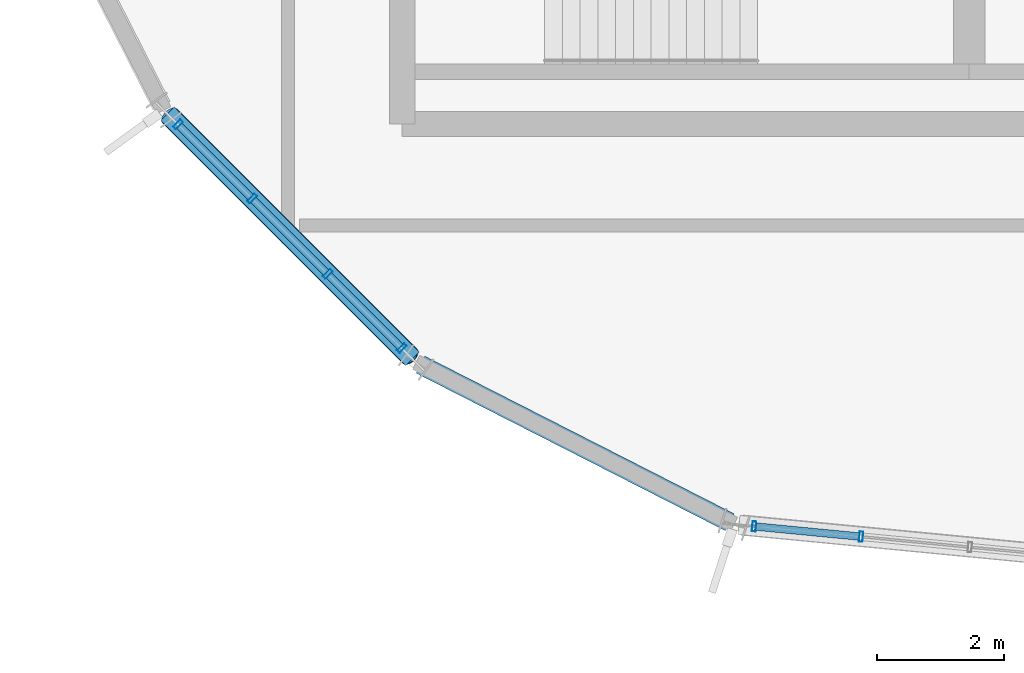
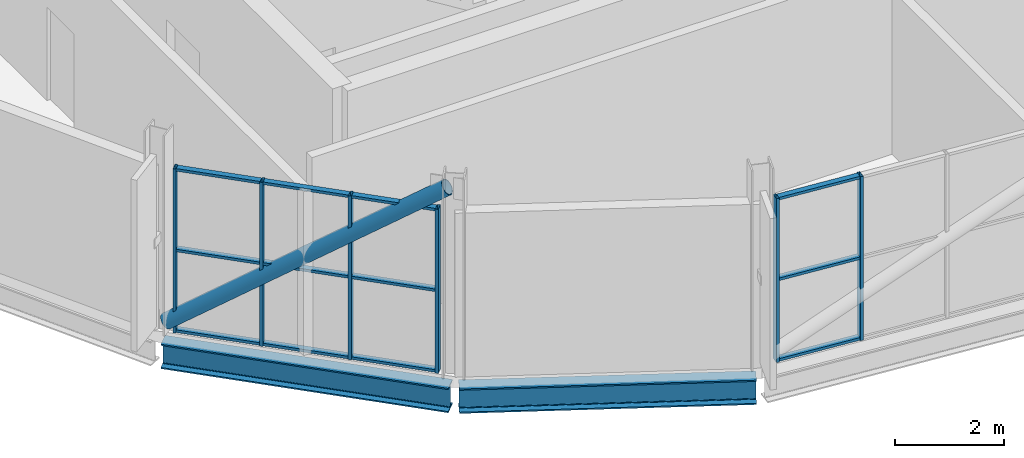
# One storey, part 2 of 22: 19 members, 2 beams, 2 elements without a shape of their own.
"""IFC4 building model written with IfcOpenShell, lengths in metres."""

import ifcopenshell
import ifcopenshell.guid

model = None  # the IFC model being written
_history = None  # IfcOwnerHistory: only IFC2X3 demands one
_inside = {}  # id of a spatial element -> (the spatial element, [elements in it])
_under = {}  # id of a project, library or spatial element -> (it, [spatial elements below it])
_declared = {}  # id of a project -> (the project, [libraries it declares])
_typed = {}  # id of a type object -> (the type object, [elements of that type])
_made_of = {}  # id of a material, layer set ... -> (it, [elements and type objects made of it])


def new_model(schema):
    """Start an empty IFC model of exactly this schema.

    Asked for "IFC4X3", IfcOpenShell would pick the latest addendum, in which some entities
    have other attributes; the version numbers below select the first issue.
    IFC2X3 requires an IfcOwnerHistory on every rooted entity: one is made here for all.
    """
    global model, _history
    if schema == "IFC4X3":
        model = ifcopenshell.file(schema_version=(4, 3, 0, 0))
    else:
        model = ifcopenshell.file(schema=schema)
    _inside.clear()
    _under.clear()
    _declared.clear()
    _typed.clear()
    _made_of.clear()
    _history = None
    if model.schema == "IFC2X3":
        org = make("IfcOrganization", Name="unknown")
        user = make(
            "IfcPersonAndOrganization",
            ThePerson=make("IfcPerson", FamilyName="unknown"),
            TheOrganization=org,
        )
        app = make(
            "IfcApplication",
            ApplicationDeveloper=org,
            Version="unknown",
            ApplicationFullName="unknown",
            ApplicationIdentifier="unknown",
        )
        _history = make(
            "IfcOwnerHistory",
            OwningUser=user,
            OwningApplication=app,
            ChangeAction="ADDED",
            CreationDate=0,
        )
    return model


def make(cls, **values):
    """One entity of the class cls with the attributes given. An attribute that is None is left unset."""
    return model.create_entity(
        cls, **{name: value for name, value in values.items() if value is not None}
    )


def rooted(cls, **values):
    """An entity with a GlobalId (a new one), such as an element, a storey or a relation."""
    return make(cls, GlobalId=ifcopenshell.guid.new(), OwnerHistory=_history, **values)


def si_unit(unit_type, name, prefix=None):
    """IfcSIUnit, for example si_unit("LENGTHUNIT", "METRE", prefix="MILLI")."""
    return make("IfcSIUnit", UnitType=unit_type, Prefix=prefix, Name=name)


def assignment(units):
    """IfcUnitAssignment: the units of a project."""
    return None if units is None else make("IfcUnitAssignment", Units=units)


def point(xyz):
    """IfcCartesianPoint."""
    return None if xyz is None else make("IfcCartesianPoint", Coordinates=xyz)


def direction(xyz):
    """IfcDirection."""
    return None if xyz is None else make("IfcDirection", DirectionRatios=xyz)


def frame(location, z_axis=None, x_axis=None):
    """IfcAxis2Placement3D, a coordinate frame: its origin and axes. An axis left out is left unset."""
    return make(
        "IfcAxis2Placement3D",
        Location=point(location),
        Axis=direction(z_axis),
        RefDirection=direction(x_axis),
    )


def frame_2d(location, x_axis=None):
    """IfcAxis2Placement2D, a coordinate frame in the plane: its origin and x axis."""
    return make(
        "IfcAxis2Placement2D", Location=point(location), RefDirection=direction(x_axis)
    )


def origin():
    """The frame at (0, 0, 0) with its axes left unset."""
    return frame((0.0, 0.0, 0.0))


def origin_2d():
    """The frame at (0, 0) in the plane with its x axis left unset."""
    return frame_2d((0.0, 0.0))


def place(relative_to, where):
    """IfcLocalPlacement: puts the frame where relative to a parent placement (None: the world)."""
    return make(
        "IfcLocalPlacement", PlacementRelTo=relative_to, RelativePlacement=where
    )


def context(
    kind, dimensions, precision=None, world=None, true_north=None, identifier=None
):
    """IfcGeometricRepresentationContext, for example the 3D "Model" context."""
    return make(
        "IfcGeometricRepresentationContext",
        ContextIdentifier=identifier,
        ContextType=kind,
        CoordinateSpaceDimension=dimensions,
        Precision=precision,
        WorldCoordinateSystem=world,
        TrueNorth=true_north,
    )


def subcontext(parent, identifier, kind, view, scale=None):
    """IfcGeometricRepresentationSubContext, for example "Body" below "Model"."""
    return make(
        "IfcGeometricRepresentationSubContext",
        ContextIdentifier=identifier,
        ContextType=kind,
        ParentContext=parent,
        TargetScale=scale,
        TargetView=view,
    )


def project(units=None, contexts=None):
    """IfcProject with its units and contexts."""
    return rooted(
        "IfcProject",
        Name="project",
        RepresentationContexts=contexts,
        UnitsInContext=assignment(units),
    )


def spatial(cls, under=None, at=None, **own):
    """A site, building, storey or space (cls), placed at a placement, below another one or the project."""
    s = rooted(cls, ObjectPlacement=at, **own)
    if under is not None:
        _under.setdefault(under.id(), (under, []))[1].append(s)
    return s


def profile(cls, at=None, kind="AREA", **sizes):
    """A parametric profile (cls). Its sizes go by their IFC names, for example OverallWidth=200.0."""
    return make(cls, ProfileType=kind, Position=at, **sizes)


def hollow_rectangle(**sizes):
    """IfcRectangleHollowProfileDef."""
    return profile("IfcRectangleHollowProfileDef", **sizes)


def hollow_circle(**sizes):
    """IfcCircleHollowProfileDef."""
    return profile("IfcCircleHollowProfileDef", **sizes)


def i_section(**sizes):
    """IfcIShapeProfileDef."""
    return profile("IfcIShapeProfileDef", **sizes)


def extrude(swept, where, along, depth):
    """IfcExtrudedAreaSolid: the profile swept, set in the frame where, extruded along a direction by depth."""
    return make(
        "IfcExtrudedAreaSolid",
        SweptArea=swept,
        Position=where,
        ExtrudedDirection=direction(along),
        Depth=depth,
    )


def shape(context_of_items, identifier, shape_type, items):
    """IfcShapeRepresentation: the items that make up one representation, for example the "Body"."""
    return make(
        "IfcShapeRepresentation",
        ContextOfItems=context_of_items,
        RepresentationIdentifier=identifier,
        RepresentationType=shape_type,
        Items=items,
    )


def material(Name=None, Category=None):
    """IfcMaterial."""
    return make("IfcMaterial", Name=Name, Category=Category)


def layer(
    of_material, thickness, ventilated=None, Name=None, Category=None, Priority=None
):
    """IfcMaterialLayer: one layer of a wall or slab, of a material (None: an air gap)."""
    return make(
        "IfcMaterialLayer",
        Material=of_material,
        LayerThickness=thickness,
        IsVentilated=ventilated,
        Name=Name,
        Category=Category,
        Priority=Priority,
    )


def layer_set(layers, Name=None):
    """IfcMaterialLayerSet."""
    return make("IfcMaterialLayerSet", MaterialLayers=layers, LayerSetName=Name)


def material_profile(
    of_material, cross_section, Name=None, Category=None, Priority=None
):
    """IfcMaterialProfile: a cross section and its material."""
    return make(
        "IfcMaterialProfile",
        Name=Name,
        Material=of_material,
        Profile=cross_section,
        Priority=Priority,
        Category=Category,
    )


def profile_set(profiles, Name=None, composite=None):
    """IfcMaterialProfileSet."""
    return make(
        "IfcMaterialProfileSet",
        Name=Name,
        MaterialProfiles=profiles,
        CompositeProfile=composite,
    )


def made_of(thing, what):
    """Note that an element or type object is made of a material, layer set ...; save() writes the relation."""
    if what is not None:
        _made_of.setdefault(what.id(), (what, []))[1].append(thing)
    return thing


def type_object(cls, material=None, **own):
    """A type object (cls), such as IfcWallType, which elements share."""
    return made_of(rooted(cls, **own), material)


def element(
    cls,
    number,
    at=None,
    inside=None,
    cuts=None,
    type_object=None,
    material=None,
    context=None,
    identifier="Body",
    shape_type=None,
    held_by="IfcProductDefinitionShape",
    body=None,
    shapes=None,
    **own,
):
    """One element of the class cls, such as IfcWall. Its Tag is "e" and its number.

    at: its placement. inside: the storey or other place that contains it. cuts: it is an
    opening in that element (IfcRelVoidsElement). A single representation is given by context,
    identifier, shape_type and body (its items); several are given by shapes. held_by: the class
    of the entity that holds the representations. save() writes the other relations.
    """
    e = rooted(cls, Tag="e%d" % number, ObjectPlacement=at, **own)
    if body is not None:
        shapes = [shape(context, identifier, shape_type, body)]
    if shapes is not None:
        e.Representation = make(held_by, Representations=shapes)
    if inside is not None:
        _inside.setdefault(inside.id(), (inside, []))[1].append(e)
    if cuts is not None:
        rooted(
            "IfcRelVoidsElement", RelatingBuildingElement=cuts, RelatedOpeningElement=e
        )
    if type_object is not None:
        _typed.setdefault(type_object.id(), (type_object, []))[1].append(e)
    return made_of(e, material)


def aggregate(whole, parts):
    """IfcRelAggregates: a whole, such as a stair, and the parts it consists of."""
    return rooted("IfcRelAggregates", RelatingObject=whole, RelatedObjects=parts)


def save(model, path):
    """Write the relations noted so far, then the file.

    IfcRelAggregates (storeys below a building ...), IfcRelContainedInSpatialStructure (elements
    in a storey), IfcRelDefinesByType, IfcRelAssociatesMaterial and IfcRelDeclares: one each for
    every whole, place, type object, material and project.
    """
    for whole, parts in _under.values():
        aggregate(whole, parts)
    for where, things in _inside.values():
        rooted(
            "IfcRelContainedInSpatialStructure",
            RelatedElements=things,
            RelatingStructure=where,
        )
    for kind, things in _typed.values():
        rooted("IfcRelDefinesByType", RelatedObjects=things, RelatingType=kind)
    for what, things in _made_of.values():
        rooted("IfcRelAssociatesMaterial", RelatedObjects=things, RelatingMaterial=what)
    for by, libraries in _declared.values():
        rooted("IfcRelDeclares", RelatingContext=by, RelatedDefinitions=libraries)
    model.write(path)


model = new_model("IFC4")

# Units and contexts
model_context = context("Model", 3, precision=1e-05, world=origin(), true_north=direction((0.0, 1.0)))
body_context = subcontext(model_context, "Body", "Model", "MODEL_VIEW")
ifc_project = project(units=[si_unit("LENGTHUNIT", "METRE"), si_unit("AREAUNIT", "SQUARE_METRE"), si_unit("VOLUMEUNIT", "CUBIC_METRE"), si_unit("PLANEANGLEUNIT", "RADIAN"), si_unit("MASSUNIT", "GRAM", prefix="KILO")], contexts=[model_context])

# Site, building, storey
site_placement = place(None, origin())
site = spatial("IfcSite", under=ifc_project, at=site_placement, CompositionType="ELEMENT")
building_placement = place(site_placement, origin())
building = spatial("IfcBuilding", under=site, at=building_placement, Name="Solnavia Interchange Tower", CompositionType="ELEMENT")
storey_placement = place(building_placement, frame((0.0, 0.0, 308.699951171875)))
storey = spatial("IfcBuildingStorey", under=building, at=storey_placement, Name="C02", CompositionType="ELEMENT", Elevation=308.699951171875)

# Curtain wall, members
ifc_material_1 = material(Name="Aluminium Alloy 6063-T6", Category="aluminium")
ifc_layer = layer(ifc_material_1, 0.179931640625)
ifc_layer_set = layer_set([ifc_layer], Name="Aluminium Alloy 6063-T6")
curtain_wall_type = type_object("IfcCurtainWallType", Name="CurtainWall-Crown-CTW6", PredefinedType="NOTDEFINED", material=ifc_layer_set)
curtain_wall_1_placement = place(storey_placement, origin())
curtain_wall_1 = element("IfcCurtainWall", 1, at=curtain_wall_1_placement, inside=storey, type_object=curtain_wall_type, Name="CTW-C02-R11 CTW-6 curtain wall", PredefinedType="NOTDEFINED")
ifc_material_profile_1 = material_profile(ifc_material_1, hollow_rectangle(XDim=0.06005859375, YDim=0.159912109375, WallThickness=0.00390625, at=origin_2d()), Name="ALU 160x60x4")
ifc_profile_set_1 = profile_set([ifc_material_profile_1], Name="Aluminium Alloy 6063-T6")
member_type_1 = type_object("IfcMemberType", Name="CW-Mullion-CWM-6", PredefinedType="MULLION", material=ifc_profile_set_1)
member_1_placement = place(storey_placement, frame((10.86328125, 10.794677734375, 0.0), z_axis=(0.0, 0.0, 1.0), x_axis=(0.707106781187, -0.707106781187, 0.0)))
member_1 = element("IfcMember", 2, at=member_1_placement, type_object=member_type_1, Name="CTW-6 mullion 1", PredefinedType="MULLION", context=body_context, shape_type="SweptSolid", body=[
    extrude(hollow_rectangle(XDim=0.06005859375, YDim=0.159912109375, WallThickness=0.00390625, at=origin_2d()), origin(), (0.0, 0.0, 1.0), 3.679931640625),
])
member_2_placement = place(storey_placement, frame((12.033447265625, 9.624755859375, 0.0), z_axis=(0.0, 0.0, 1.0), x_axis=(0.707106781187, -0.707106781187, 0.0)))
member_2 = element("IfcMember", 3, at=member_2_placement, type_object=member_type_1, Name="CTW-6 mullion 2", PredefinedType="MULLION", context=body_context, shape_type="SweptSolid", body=[
    extrude(hollow_rectangle(XDim=0.06005859375, YDim=0.159912109375, WallThickness=0.00390625, at=origin_2d()), origin(), (0.0, 0.0, 1.0), 3.679931640625),
])
member_3_placement = place(storey_placement, frame((13.224609375, 8.433349609375, 0.0), z_axis=(0.0, 0.0, 1.0), x_axis=(0.707106781187, -0.707106781187, 0.0)))
member_3 = element("IfcMember", 4, at=member_3_placement, type_object=member_type_1, Name="CTW-6 mullion 3", PredefinedType="MULLION", context=body_context, shape_type="SweptSolid", body=[
    extrude(hollow_rectangle(XDim=0.06005859375, YDim=0.159912109375, WallThickness=0.00390625, at=origin_2d()), origin(), (0.0, 0.0, 1.0), 3.679931640625),
])
member_4_placement = place(storey_placement, frame((14.394775390625, 7.26318359375, 0.0), z_axis=(0.0, 0.0, 1.0), x_axis=(0.707106781187, -0.707106781187, 0.0)))
member_4 = element("IfcMember", 5, at=member_4_placement, type_object=member_type_1, Name="CTW-6 mullion 4", PredefinedType="MULLION", context=body_context, shape_type="SweptSolid", body=[
    extrude(hollow_rectangle(XDim=0.06005859375, YDim=0.159912109375, WallThickness=0.00390625, at=origin_2d()), origin(), (0.0, 0.0, 1.0), 3.679931640625),
])

curtain_wall_2_placement = place(storey_placement, origin())
curtain_wall_2 = element("IfcCurtainWall", 6, at=curtain_wall_2_placement, inside=storey, type_object=curtain_wall_type, Name="CTW-C02-R13 CTW-6 curtain wall", PredefinedType="NOTDEFINED")
member_5_placement = place(storey_placement, frame((19.955078125, 4.450439453125, 0.0), z_axis=(0.0, 0.0, 1.0), x_axis=(0.995408264531, -0.095720357833, 0.0)))
member_5 = element("IfcMember", 7, at=member_5_placement, type_object=member_type_1, Name="CTW-6 mullion 1", PredefinedType="MULLION", context=body_context, shape_type="SweptSolid", body=[
    extrude(hollow_rectangle(XDim=0.06005859375, YDim=0.159912109375, WallThickness=0.00390625, at=origin_2d()), origin(), (0.0, 0.0, 1.0), 3.679931640625),
])
member_6_placement = place(storey_placement, frame((21.642822265625, 4.288330078125, 0.0), z_axis=(0.0, 0.0, 1.0), x_axis=(0.995408264531, -0.095720357833, 0.0)))
member_6 = element("IfcMember", 8, at=member_6_placement, type_object=member_type_1, Name="CTW-6 mullion 2", PredefinedType="MULLION", context=body_context, shape_type="SweptSolid", body=[
    extrude(hollow_rectangle(XDim=0.06005859375, YDim=0.159912109375, WallThickness=0.00390625, at=origin_2d()), origin(), (0.0, 0.0, 1.0), 3.679931640625),
])

# Member
ifc_material_profile_2 = material_profile(ifc_material_1, hollow_rectangle(XDim=0.06005859375, YDim=0.1201171875, WallThickness=0.00390625, at=origin_2d()), Name="ALU 120x60x4")
ifc_profile_set_2 = profile_set([ifc_material_profile_2], Name="Aluminium Alloy 6063-T6")
member_type_2 = type_object("IfcMemberType", Name="CW-Transom-CWT-6", PredefinedType="USERDEFINED", material=ifc_profile_set_2)
member_7_placement = place(storey_placement, frame((10.884521484375, 10.773681640625, 0.030029296875), z_axis=(0.707106781187, -0.707106781187, 0.0), x_axis=(0.0, 0.0, 1.0)))
member_7 = element("IfcMember", 9, at=member_7_placement, type_object=member_type_2, Name="CTW-6 transom 1.1", ObjectType="TRANSOM", PredefinedType="USERDEFINED", context=body_context, shape_type="SweptSolid", body=[
    extrude(hollow_rectangle(XDim=0.06005859375, YDim=0.1201171875, WallThickness=0.00390625, at=origin_2d()), origin(), (0.0, 0.0, 1.0), 1.5947265625),
])

member_8_placement = place(storey_placement, frame((10.884521484375, 10.773681640625, 1.840087890625), z_axis=(0.707106781187, -0.707106781187, 0.0), x_axis=(0.0, 0.0, 1.0)))
member_8 = element("IfcMember", 10, at=member_8_placement, type_object=member_type_2, Name="CTW-6 transom 1.2", ObjectType="TRANSOM", PredefinedType="USERDEFINED", context=body_context, shape_type="SweptSolid", body=[
    extrude(hollow_rectangle(XDim=0.06005859375, YDim=0.1201171875, WallThickness=0.00390625, at=origin_2d()), origin(), (0.0, 0.0, 1.0), 1.5947265625),
])

member_9_placement = place(storey_placement, frame((10.884521484375, 10.773681640625, 3.650146484375), z_axis=(0.707106781187, -0.707106781187, 0.0), x_axis=(0.0, 0.0, 1.0)))
member_9 = element("IfcMember", 11, at=member_9_placement, type_object=member_type_2, Name="CTW-6 transom 1.3", ObjectType="TRANSOM", PredefinedType="USERDEFINED", context=body_context, shape_type="SweptSolid", body=[
    extrude(hollow_rectangle(XDim=0.06005859375, YDim=0.1201171875, WallThickness=0.00390625, at=origin_2d()), origin(), (0.0, 0.0, 1.0), 1.5947265625),
])

member_10_placement = place(storey_placement, frame((12.054443359375, 9.603515625, 0.030029296875), z_axis=(0.707106781187, -0.707106781187, 0.0), x_axis=(0.0, 0.0, 1.0)))
member_10 = element("IfcMember", 12, at=member_10_placement, type_object=member_type_2, Name="CTW-6 transom 2.1", ObjectType="TRANSOM", PredefinedType="USERDEFINED", context=body_context, shape_type="SweptSolid", body=[
    extrude(hollow_rectangle(XDim=0.06005859375, YDim=0.1201171875, WallThickness=0.00390625, at=origin_2d()), origin(), (0.0, 0.0, 1.0), 1.624755859375),
])

member_11_placement = place(storey_placement, frame((12.054443359375, 9.603515625, 1.840087890625), z_axis=(0.707106781187, -0.707106781187, 0.0), x_axis=(0.0, 0.0, 1.0)))
member_11 = element("IfcMember", 13, at=member_11_placement, type_object=member_type_2, Name="CTW-6 transom 2.2", ObjectType="TRANSOM", PredefinedType="USERDEFINED", context=body_context, shape_type="SweptSolid", body=[
    extrude(hollow_rectangle(XDim=0.06005859375, YDim=0.1201171875, WallThickness=0.00390625, at=origin_2d()), origin(), (0.0, 0.0, 1.0), 1.624755859375),
])

member_12_placement = place(storey_placement, frame((12.054443359375, 9.603515625, 3.650146484375), z_axis=(0.707106781187, -0.707106781187, 0.0), x_axis=(0.0, 0.0, 1.0)))
member_12 = element("IfcMember", 14, at=member_12_placement, type_object=member_type_2, Name="CTW-6 transom 2.3", ObjectType="TRANSOM", PredefinedType="USERDEFINED", context=body_context, shape_type="SweptSolid", body=[
    extrude(hollow_rectangle(XDim=0.06005859375, YDim=0.1201171875, WallThickness=0.00390625, at=origin_2d()), origin(), (0.0, 0.0, 1.0), 1.624755859375),
])

member_13_placement = place(storey_placement, frame((13.245849609375, 8.412109375, 0.030029296875), z_axis=(0.707106781187, -0.707106781187, 0.0), x_axis=(0.0, 0.0, 1.0)))
member_13 = element("IfcMember", 15, at=member_13_placement, type_object=member_type_2, Name="CTW-6 transom 3.1", ObjectType="TRANSOM", PredefinedType="USERDEFINED", context=body_context, shape_type="SweptSolid", body=[
    extrude(hollow_rectangle(XDim=0.06005859375, YDim=0.1201171875, WallThickness=0.00390625, at=origin_2d()), origin(), (0.0, 0.0, 1.0), 1.5947265625),
])

member_14_placement = place(storey_placement, frame((13.245849609375, 8.412109375, 1.840087890625), z_axis=(0.707106781187, -0.707106781187, 0.0), x_axis=(0.0, 0.0, 1.0)))
member_14 = element("IfcMember", 16, at=member_14_placement, type_object=member_type_2, Name="CTW-6 transom 3.2", ObjectType="TRANSOM", PredefinedType="USERDEFINED", context=body_context, shape_type="SweptSolid", body=[
    extrude(hollow_rectangle(XDim=0.06005859375, YDim=0.1201171875, WallThickness=0.00390625, at=origin_2d()), origin(), (0.0, 0.0, 1.0), 1.5947265625),
])

member_15_placement = place(storey_placement, frame((13.245849609375, 8.412109375, 3.650146484375), z_axis=(0.707106781187, -0.707106781187, 0.0), x_axis=(0.0, 0.0, 1.0)))
member_15 = element("IfcMember", 17, at=member_15_placement, type_object=member_type_2, Name="CTW-6 transom 3.3", ObjectType="TRANSOM", PredefinedType="USERDEFINED", context=body_context, shape_type="SweptSolid", body=[
    extrude(hollow_rectangle(XDim=0.06005859375, YDim=0.1201171875, WallThickness=0.00390625, at=origin_2d()), origin(), (0.0, 0.0, 1.0), 1.5947265625),
])

aggregate(curtain_wall_1, [member_1, member_2, member_3, member_4, member_7, member_8, member_9, member_10, member_11, member_12, member_13, member_14, member_15])

member_16_placement = place(storey_placement, frame((19.98486328125, 4.44775390625, 0.030029296875), z_axis=(0.995396986959, -0.095837562332, 0.0), x_axis=(0.0, 0.0, 1.0)))
member_16 = element("IfcMember", 18, at=member_16_placement, type_object=member_type_2, Name="CTW-6 transom 1.1", ObjectType="TRANSOM", PredefinedType="USERDEFINED", context=body_context, shape_type="SweptSolid", body=[
    extrude(hollow_rectangle(XDim=0.06005859375, YDim=0.1201171875, WallThickness=0.00390625, at=origin_2d()), origin(), (0.0, 0.0, 1.0), 1.635498046875),
])

member_17_placement = place(storey_placement, frame((19.98486328125, 4.44775390625, 1.840087890625), z_axis=(0.995396986959, -0.095837562332, 0.0), x_axis=(0.0, 0.0, 1.0)))
member_17 = element("IfcMember", 19, at=member_17_placement, type_object=member_type_2, Name="CTW-6 transom 1.2", ObjectType="TRANSOM", PredefinedType="USERDEFINED", context=body_context, shape_type="SweptSolid", body=[
    extrude(hollow_rectangle(XDim=0.06005859375, YDim=0.1201171875, WallThickness=0.00390625, at=origin_2d()), origin(), (0.0, 0.0, 1.0), 1.635498046875),
])

member_18_placement = place(storey_placement, frame((19.98486328125, 4.44775390625, 3.650146484375), z_axis=(0.995396986959, -0.095837562332, 0.0), x_axis=(0.0, 0.0, 1.0)))
member_18 = element("IfcMember", 20, at=member_18_placement, type_object=member_type_2, Name="CTW-6 transom 1.3", ObjectType="TRANSOM", PredefinedType="USERDEFINED", context=body_context, shape_type="SweptSolid", body=[
    extrude(hollow_rectangle(XDim=0.06005859375, YDim=0.1201171875, WallThickness=0.00390625, at=origin_2d()), origin(), (0.0, 0.0, 1.0), 1.635498046875),
])

aggregate(curtain_wall_2, [member_5, member_6, member_16, member_17, member_18])

ifc_material_2 = material(Name="Steel S355", Category="steel")
ifc_material_profile_3 = material_profile(ifc_material_2, hollow_circle(Radius=0.161865234375, WallThickness=0.01611328125, at=origin_2d()), Name="CHS 323.9x16")
ifc_profile_set_3 = profile_set([ifc_material_profile_3], Name="Steel S355")
member_type_3 = type_object("IfcMemberType", Name="CrownFrame-Brace-CHS323", PredefinedType="BRACE", material=ifc_profile_set_3)
member_19_placement = place(storey_placement, frame((10.737060546875, 10.9208984375, 0.179931640625), z_axis=(0.567372843335, -0.567372843335, 0.596804920633), x_axis=(0.707106781187, 0.707106781187, 0.0)))
element("IfcMember", 21, at=member_19_placement, inside=storey, type_object=member_type_3, Name="BRC-C02-CF11 CROWN FRAME ring brace", PredefinedType="BRACE", context=body_context, shape_type="SweptSolid", body=[
    extrude(hollow_circle(Radius=0.161865234375, WallThickness=0.01611328125, at=origin_2d()), origin(), (0.0, 0.0, 1.0), 6.669189453125),
])

# Beams
ifc_material_3 = material(Name="Steel S460", Category="steel")
ifc_material_profile_4 = material_profile(ifc_material_3, i_section(OverallWidth=0.300048828125, OverallDepth=0.550048828125, WebThickness=0.014892578125, FlangeThickness=0.029052734375, FilletRadius=0.027099609375, at=origin_2d()), Name="HEB 550")
ifc_profile_set_4 = profile_set([ifc_material_profile_4], Name="Steel S460")
beam_type = type_object("IfcBeamType", Name="CrownFrame-Ring-HEB550", PredefinedType="BEAM", material=ifc_profile_set_4)
beam_1_placement = place(storey_placement, frame((10.694580078125, 10.96337890625, -0.52490234375), z_axis=(0.707106781187, -0.707106781187, 0.0), x_axis=(0.707106781187, 0.707106781187, 0.0)))
element("IfcBeam", 22, at=beam_1_placement, inside=storey, type_object=beam_type, Name="GRD-C02-CR11 CROWN FRAME outer collar ring beam", PredefinedType="BEAM", context=body_context, shape_type="SweptSolid", body=[
    extrude(i_section(OverallWidth=0.300048828125, OverallDepth=0.550048828125, WebThickness=0.014892578125, FlangeThickness=0.029052734375, FilletRadius=0.027099609375, at=origin_2d()), origin(), (0.0, 0.0, 1.0), 5.471435546875),
])
beam_2_placement = place(storey_placement, frame((14.69140625, 7.001708984375, -0.52490234375), z_axis=(0.890983307267, -0.454036062634, 0.0), x_axis=(0.454036062634, 0.890983307267, 0.0)))
element("IfcBeam", 23, at=beam_2_placement, inside=storey, type_object=beam_type, Name="GRD-C02-CR12 CROWN FRAME outer collar ring beam", PredefinedType="BEAM", context=body_context, shape_type="SweptSolid", body=[
    extrude(i_section(OverallWidth=0.300048828125, OverallDepth=0.550048828125, WebThickness=0.014892578125, FlangeThickness=0.029052734375, FilletRadius=0.027099609375, at=origin_2d()), origin(), (0.0, 0.0, 1.0), 5.4716796875),
])

save(model, "model.ifc")
